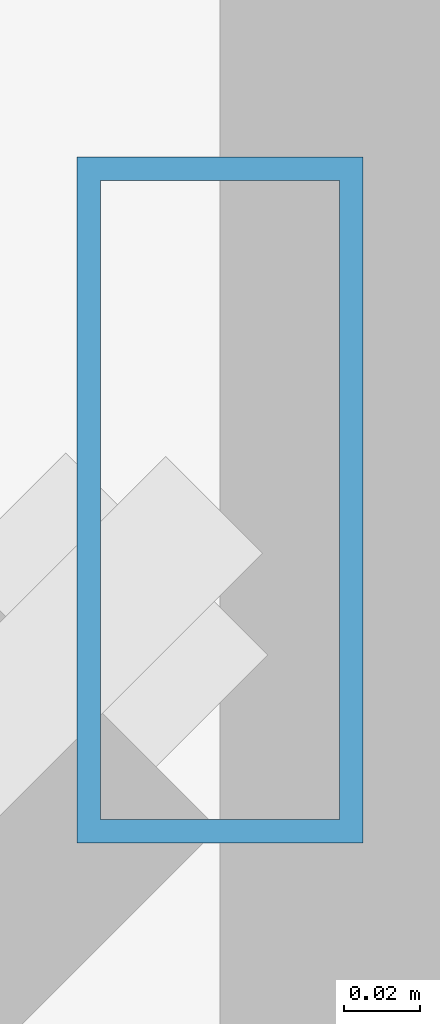
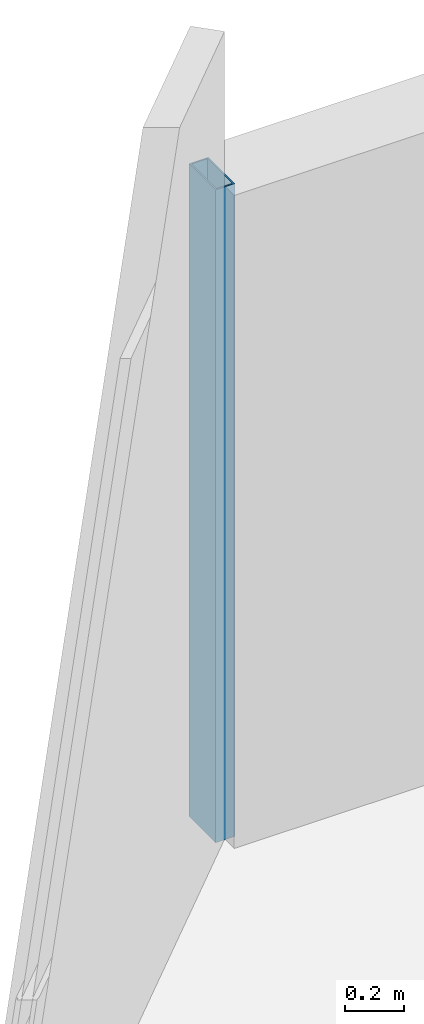
# One storey, part 18 of 35: 1 member, 1 element without a shape of its own.
"""IFC4 building model written with IfcOpenShell, lengths in metres."""

from ifc_helpers import new_model, si_unit, direction, frame, origin, origin_2d, place, context, subcontext, project, spatial, hollow_rectangle, extrude, material, material_profile, profile_set, type_object, element, aggregate, save


model = new_model("IFC4")

# Units and contexts
model_context = context("Model", 3, precision=1e-05, world=origin(), true_north=direction((0.0, 1.0)))
body_context = subcontext(model_context, "Body", "Model", "MODEL_VIEW")
ifc_project = project(units=[si_unit("LENGTHUNIT", "METRE"), si_unit("AREAUNIT", "SQUARE_METRE"), si_unit("VOLUMEUNIT", "CUBIC_METRE"), si_unit("PLANEANGLEUNIT", "RADIAN"), si_unit("MASSUNIT", "GRAM", prefix="KILO")], contexts=[model_context])

# Site, building, storey
site_placement = place(None, origin())
site = spatial("IfcSite", under=ifc_project, at=site_placement, CompositionType="ELEMENT")
building_placement = place(site_placement, origin())
building = spatial("IfcBuilding", under=site, at=building_placement, Name="Thornwick Lancets Civic Towers", CompositionType="ELEMENT")
storey_placement = place(building_placement, frame((0.0, 0.0, 272.699951171875)))
storey = spatial("IfcBuildingStorey", under=building, at=storey_placement, Name="L73", CompositionType="ELEMENT", Elevation=272.699951171875)

# Curtain wall, member
ifc_material_1 = material(Name="High-zone chamfered-corner unitised glass curtain wall", Category="glass")
curtain_wall_type = type_object("IfcCurtainWallType", Name="CW_SYS_05", PredefinedType="NOTDEFINED", material=ifc_material_1)
curtain_wall_placement = place(storey_placement, origin())
curtain_wall = element("IfcCurtainWall", 1, at=curtain_wall_placement, inside=storey, type_object=curtain_wall_type, Name="L73 Curtain Wall CW-L73-B-E5", PredefinedType="NOTDEFINED")
ifc_material_2 = material(Name="Thermally broken bronze aluminium S355", Category="steel")
ifc_material_profile = material_profile(ifc_material_2, hollow_rectangle(XDim=0.074951171875, YDim=0.179931640625, WallThickness=0.006103515625, at=origin_2d()), Name="RHS 180x75x6")
ifc_profile_set = profile_set([ifc_material_profile], Name="Thermally broken bronze aluminium S355")
member_type = type_object("IfcMemberType", Name="CW_MUL_180", PredefinedType="MULLION", material=ifc_profile_set)
member_placement = place(storey_placement, frame((73.594482421875, 50.763671875, 0.0), z_axis=(0.0, 0.0, 1.0), x_axis=(1.0, 0.0, 0.0)))
member = element("IfcMember", 2, at=member_placement, type_object=member_type, Name="CW-L73-B-E5 Mullion 0", PredefinedType="MULLION", context=body_context, shape_type="SweptSolid", body=[
    extrude(hollow_rectangle(XDim=0.074951171875, YDim=0.179931640625, WallThickness=0.006103515625, at=origin_2d()), origin(), (0.0, 0.0, 1.0), 2.699951171875),
])
aggregate(curtain_wall, [member])

save(model, "model.ifc")
